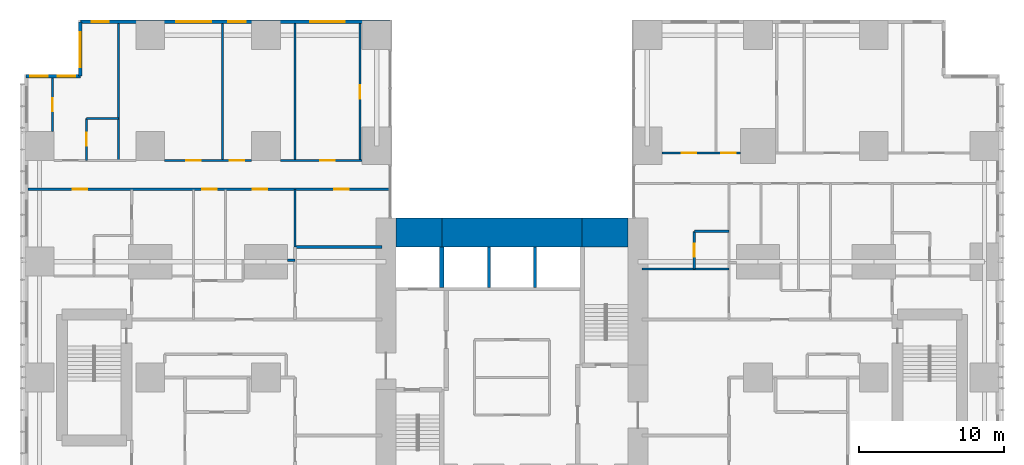
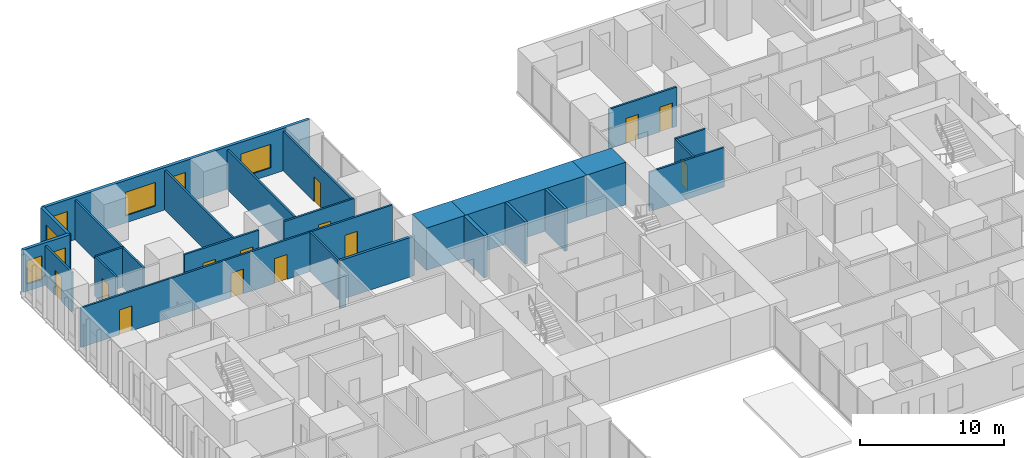
# One storey, part 19 of 22: 26 walls, 13 doors, 7 windows, 20 openings.
"""IFC4 building model written with IfcOpenShell, lengths in metres."""

from ifc_helpers import new_model, si_unit, direction, frame, frame_2d, origin, place, context, subcontext, project, spatial, rectangle, extrude, material, layer, layer_set, type_object, element, fill, save


model = new_model("IFC4")

# Units and contexts
model_context = context("Model", 3, precision=1e-05, world=origin(), true_north=direction((0.0, 1.0)))
body_context = subcontext(model_context, "Body", "Model", "MODEL_VIEW")
ifc_project = project(units=[si_unit("LENGTHUNIT", "METRE"), si_unit("AREAUNIT", "SQUARE_METRE"), si_unit("VOLUMEUNIT", "CUBIC_METRE"), si_unit("PLANEANGLEUNIT", "RADIAN"), si_unit("MASSUNIT", "GRAM", prefix="KILO")], contexts=[model_context])

# Site, building, storey
site_placement = place(None, origin())
site = spatial("IfcSite", under=ifc_project, at=site_placement, CompositionType="ELEMENT")
building_placement = place(site_placement, origin())
building = spatial("IfcBuilding", under=site, at=building_placement, Name="Cleftline Residences", CompositionType="ELEMENT")
storey_placement = place(building_placement, frame((0.0, 0.0, 29.60009765625)))
storey = spatial("IfcBuildingStorey", under=building, at=storey_placement, Name="L06", CompositionType="ELEMENT", Elevation=29.60009765625)

# Walls
ifc_material_1 = material(Name="Concrete B70", Category="concrete")
ifc_layer_1 = layer(ifc_material_1, 2.0)
ifc_layer_set_1 = layer_set([ifc_layer_1], Name="CORE WALL 2000")
wall_type_1 = type_object("IfcWallType", Name="CORE WALL 2000", PredefinedType="SHEAR", material=ifc_layer_set_1)
wall_1_placement = place(storey_placement, frame((25.0, 34.0, 0.0), z_axis=(0.0, 0.0, 1.0), x_axis=(1.0, 0.0, 0.0)))
element("IfcWall", 1, at=wall_1_placement, inside=storey, type_object=wall_type_1, Name="Core wall N1", PredefinedType="SHEAR", context=body_context, shape_type="SweptSolid", body=[
    extrude(rectangle(XDim=3.14990234375, YDim=2.0, at=frame_2d((1.574951171875, 0.0))), origin(), (0.0, 0.0, 1.0), 3.599853515625),
])
wall_2_placement = place(storey_placement, frame((28.14990234375, 34.0, 0.0), z_axis=(0.0, 0.0, 1.0), x_axis=(1.0, 0.0, 0.0)))
element("IfcWall", 2, at=wall_2_placement, inside=storey, type_object=wall_type_1, Name="Core wall N2", PredefinedType="SHEAR", context=body_context, shape_type="SweptSolid", body=[
    extrude(rectangle(XDim=9.7001953125, YDim=2.0, at=frame_2d((4.85009765625, 0.0))), origin(), (0.0, 0.0, 1.0), 3.599853515625),
])
wall_3_placement = place(storey_placement, frame((37.85009765625, 34.0, 0.0), z_axis=(0.0, 0.0, 1.0), x_axis=(1.0, 0.0, 0.0)))
element("IfcWall", 3, at=wall_3_placement, inside=storey, type_object=wall_type_1, Name="Core wall N3", PredefinedType="SHEAR", context=body_context, shape_type="SweptSolid", body=[
    extrude(rectangle(XDim=3.14990234375, YDim=2.0, at=frame_2d((1.574951171875, 0.0))), origin(), (0.0, 0.0, 1.0), 3.599853515625),
])
ifc_material_2 = material(Name="Concrete B70", Category="concrete")
ifc_layer_2 = layer(ifc_material_2, 0.300048828125)
ifc_layer_set_2 = layer_set([ifc_layer_2], Name="CORE WALL 300")
wall_type_2 = type_object("IfcWallType", Name="CORE WALL 300", PredefinedType="SHEAR", material=ifc_layer_set_2)
wall_4_placement = place(storey_placement, frame((28.14990234375, 30.199951171875, 0.0), z_axis=(0.0, 0.0, 1.0), x_axis=(0.0, 1.0, 0.0)))
element("IfcWall", 4, at=wall_4_placement, inside=storey, type_object=wall_type_2, Name="Lift shaft wall", PredefinedType="SHEAR", context=body_context, shape_type="SweptSolid", body=[
    extrude(rectangle(XDim=2.800048828125, YDim=0.300048828125, at=frame_2d((1.39990234375, 0.0))), origin(), (0.0, 0.0, 1.0), 3.599853515625),
])

# Wall, openings, windows
ifc_material_3 = material(Name="Rendered reinforced concrete blockwork", Category="masonry")
ifc_layer_3 = layer(ifc_material_3, 0.25)
ifc_layer_set_3 = layer_set([ifc_layer_3], Name="EXTERNAL WALL 250")
wall_type_3 = type_object("IfcWallType", Name="EXTERNAL WALL 250", PredefinedType="SOLIDWALL", material=ifc_layer_set_3)
wall_5_placement = place(storey_placement, frame((24.574951171875, 48.574951171875, 0.0), z_axis=(0.0, 0.0, 1.0), x_axis=(-1.0, 0.0, 0.0)))
wall_5 = element("IfcWall", 5, at=wall_5_placement, inside=storey, type_object=wall_type_3, Name="External wall", PredefinedType="SOLIDWALL", context=body_context, shape_type="SweptSolid", body=[
    extrude(rectangle(XDim=21.39990234375, YDim=0.25, at=frame_2d((10.699951171875, 0.0))), origin(), (0.0, 0.0, 1.0), 3.599853515625),
])
opening_1_placement = place(wall_5_placement, frame((3.125, 0.0, 0.60009765625)))
opening_1 = element("IfcOpeningElement", 6, at=opening_1_placement, cuts=wall_5, Name="Opening W6", PredefinedType="OPENING", context=body_context, shape_type="SweptSolid", body=[
    extrude(rectangle(XDim=2.39990234375, YDim=2.0, at=frame_2d((1.199951171875, 1.0))), frame((0.0, 0.135009765625, 0.0), z_axis=(0.0, -1.0, 0.0), x_axis=(1.0, 0.0, 0.0)), (0.0, 0.0, 1.0), 0.27001953125),
])
opening_2_placement = place(wall_5_placement, frame((9.97509765625, 0.0, 0.60009765625)))
opening_2 = element("IfcOpeningElement", 7, at=opening_2_placement, cuts=wall_5, Name="Opening W8", PredefinedType="OPENING", context=body_context, shape_type="SweptSolid", body=[
    extrude(rectangle(XDim=1.199951171875, YDim=2.0, at=frame_2d((0.60009765625, 1.0))), frame((0.0, 0.135009765625, 0.0), z_axis=(0.0, -1.0, 0.0), x_axis=(1.0, 0.0, 0.0)), (0.0, 0.0, 1.0), 0.27001953125),
])
opening_3_placement = place(wall_5_placement, frame((12.375, 0.0, 0.60009765625)))
opening_3 = element("IfcOpeningElement", 8, at=opening_3_placement, cuts=wall_5, Name="Opening W6", PredefinedType="OPENING", context=body_context, shape_type="SweptSolid", body=[
    extrude(rectangle(XDim=2.39990234375, YDim=2.0, at=frame_2d((1.199951171875, 1.0))), frame((0.0, 0.135009765625, 0.0), z_axis=(0.0, -1.0, 0.0), x_axis=(1.0, 0.0, 0.0)), (0.0, 0.0, 1.0), 0.27001953125),
])
opening_4_placement = place(wall_5_placement, frame((19.425048828125, 0.0, 0.60009765625)))
opening_4 = element("IfcOpeningElement", 9, at=opening_4_placement, cuts=wall_5, Name="Opening W8", PredefinedType="OPENING", context=body_context, shape_type="SweptSolid", body=[
    extrude(rectangle(XDim=1.199951171875, YDim=2.0, at=frame_2d((0.60009765625, 1.0))), frame((0.0, 0.135009765625, 0.0), z_axis=(0.0, -1.0, 0.0), x_axis=(1.0, 0.0, 0.0)), (0.0, 0.0, 1.0), 0.27001953125),
])
ifc_material_4 = material(Name="Aluminium frame, clear double glazing", Category="aluminium")
window_type_1 = type_object("IfcWindowType", Name="WINDOW 1200X2000", PartitioningType="DOUBLE_PANEL_VERTICAL", PredefinedType="WINDOW", material=ifc_material_4)
window_1_placement = place(opening_2_placement, origin())
window_1 = element("IfcWindow", 10, at=window_1_placement, inside=storey, type_object=window_type_1, Name="Window", OverallHeight=2.0, OverallWidth=1.199951171875, PartitioningType="SINGLE_PANEL", PredefinedType="WINDOW", context=body_context, shape_type="SweptSolid", body=[
    extrude(rectangle(XDim=1.199951171875, YDim=2.0, at=frame_2d((0.60009765625, 1.0))), frame((0.0, 0.030029296875, 0.0), z_axis=(0.0, -1.0, 0.0), x_axis=(1.0, 0.0, 0.0)), (0.0, 0.0, 1.0), 0.06005859375),
])
fill(opening_2, window_1)
window_2_placement = place(opening_4_placement, origin())
window_2 = element("IfcWindow", 11, at=window_2_placement, inside=storey, type_object=window_type_1, Name="Window", OverallHeight=2.0, OverallWidth=1.199951171875, PartitioningType="SINGLE_PANEL", PredefinedType="WINDOW", context=body_context, shape_type="SweptSolid", body=[
    extrude(rectangle(XDim=1.199951171875, YDim=2.0, at=frame_2d((0.60009765625, 1.0))), frame((0.0, 0.030029296875, 0.0), z_axis=(0.0, -1.0, 0.0), x_axis=(1.0, 0.0, 0.0)), (0.0, 0.0, 1.0), 0.06005859375),
])
fill(opening_4, window_2)
ifc_material_5 = material(Name="Aluminium frame, clear double glazing", Category="aluminium")
window_type_2 = type_object("IfcWindowType", Name="WINDOW 2400X2000", PartitioningType="DOUBLE_PANEL_VERTICAL", PredefinedType="WINDOW", material=ifc_material_5)
window_3_placement = place(opening_1_placement, origin())
window_3 = element("IfcWindow", 12, at=window_3_placement, inside=storey, type_object=window_type_2, Name="Window", OverallHeight=2.0, OverallWidth=2.39990234375, PartitioningType="SINGLE_PANEL", PredefinedType="WINDOW", context=body_context, shape_type="SweptSolid", body=[
    extrude(rectangle(XDim=2.39990234375, YDim=2.0, at=frame_2d((1.199951171875, 1.0))), frame((0.0, 0.030029296875, 0.0), z_axis=(0.0, -1.0, 0.0), x_axis=(1.0, 0.0, 0.0)), (0.0, 0.0, 1.0), 0.06005859375),
])
fill(opening_1, window_3)
window_4_placement = place(opening_3_placement, origin())
window_4 = element("IfcWindow", 13, at=window_4_placement, inside=storey, type_object=window_type_2, Name="Window", OverallHeight=2.0, OverallWidth=2.39990234375, PartitioningType="SINGLE_PANEL", PredefinedType="WINDOW", context=body_context, shape_type="SweptSolid", body=[
    extrude(rectangle(XDim=2.39990234375, YDim=2.0, at=frame_2d((1.199951171875, 1.0))), frame((0.0, 0.030029296875, 0.0), z_axis=(0.0, -1.0, 0.0), x_axis=(1.0, 0.0, 0.0)), (0.0, 0.0, 1.0), 0.06005859375),
])
fill(opening_3, window_4)

# Wall, opening, window
wall_6_placement = place(storey_placement, frame((3.175048828125, 48.574951171875, 0.0), z_axis=(0.0, 0.0, 1.0), x_axis=(0.0, -1.0, 0.0)))
wall_6 = element("IfcWall", 14, at=wall_6_placement, inside=storey, type_object=wall_type_3, Name="External wall", PredefinedType="SOLIDWALL", context=body_context, shape_type="SweptSolid", body=[
    extrude(rectangle(XDim=3.75, YDim=0.25, at=frame_2d((1.875, 0.0))), origin(), (0.0, 0.0, 1.0), 3.599853515625),
])
opening_5_placement = place(wall_6_placement, frame((0.737548828125, 0.0, 0.60009765625)))
opening_5 = element("IfcOpeningElement", 15, at=opening_5_placement, cuts=wall_6, Name="Opening W6", PredefinedType="OPENING", context=body_context, shape_type="SweptSolid", body=[
    extrude(rectangle(XDim=2.39990234375, YDim=2.0, at=frame_2d((1.199951171875, 1.0))), frame((0.0, 0.135009765625, 0.0), z_axis=(0.0, -1.0, 0.0), x_axis=(1.0, 0.0, 0.0)), (0.0, 0.0, 1.0), 0.27001953125),
])
window_5_placement = place(opening_5_placement, origin())
window_5 = element("IfcWindow", 16, at=window_5_placement, inside=storey, type_object=window_type_2, Name="Window", OverallHeight=2.0, OverallWidth=2.39990234375, PartitioningType="SINGLE_PANEL", PredefinedType="WINDOW", context=body_context, shape_type="SweptSolid", body=[
    extrude(rectangle(XDim=2.39990234375, YDim=2.0, at=frame_2d((1.199951171875, 1.0))), frame((0.0, 0.030029296875, 0.0), z_axis=(0.0, -1.0, 0.0), x_axis=(1.0, 0.0, 0.0)), (0.0, 0.0, 1.0), 0.06005859375),
])
fill(opening_5, window_5)

# Wall, openings, windows
wall_7_placement = place(storey_placement, frame((3.175048828125, 44.824951171875, 0.0), z_axis=(0.0, 0.0, 1.0), x_axis=(-1.0, 0.0, 0.0)))
wall_7 = element("IfcWall", 17, at=wall_7_placement, inside=storey, type_object=wall_type_3, Name="External wall", PredefinedType="SOLIDWALL", context=body_context, shape_type="SweptSolid", body=[
    extrude(rectangle(XDim=3.75, YDim=0.25, at=frame_2d((1.875, 0.0))), origin(), (0.0, 0.0, 1.0), 3.599853515625),
])
opening_6_placement = place(wall_7_placement, frame((0.362548828125, 0.0, 0.60009765625)))
opening_6 = element("IfcOpeningElement", 18, at=opening_6_placement, cuts=wall_7, Name="Opening W8", PredefinedType="OPENING", context=body_context, shape_type="SweptSolid", body=[
    extrude(rectangle(XDim=1.199951171875, YDim=2.0, at=frame_2d((0.60009765625, 1.0))), frame((0.0, 0.135009765625, 0.0), z_axis=(0.0, -1.0, 0.0), x_axis=(1.0, 0.0, 0.0)), (0.0, 0.0, 1.0), 0.27001953125),
])
opening_7_placement = place(wall_7_placement, frame((2.25, 0.0, 0.60009765625)))
opening_7 = element("IfcOpeningElement", 19, at=opening_7_placement, cuts=wall_7, Name="Opening W8", PredefinedType="OPENING", context=body_context, shape_type="SweptSolid", body=[
    extrude(rectangle(XDim=1.199951171875, YDim=2.0, at=frame_2d((0.60009765625, 1.0))), frame((0.0, 0.135009765625, 0.0), z_axis=(0.0, -1.0, 0.0), x_axis=(1.0, 0.0, 0.0)), (0.0, 0.0, 1.0), 0.27001953125),
])
window_6_placement = place(opening_6_placement, origin())
window_6 = element("IfcWindow", 20, at=window_6_placement, inside=storey, type_object=window_type_1, Name="Window", OverallHeight=2.0, OverallWidth=1.199951171875, PartitioningType="SINGLE_PANEL", PredefinedType="WINDOW", context=body_context, shape_type="SweptSolid", body=[
    extrude(rectangle(XDim=1.199951171875, YDim=2.0, at=frame_2d((0.60009765625, 1.0))), frame((0.0, 0.030029296875, 0.0), z_axis=(0.0, -1.0, 0.0), x_axis=(1.0, 0.0, 0.0)), (0.0, 0.0, 1.0), 0.06005859375),
])
fill(opening_6, window_6)
window_7_placement = place(opening_7_placement, origin())
window_7 = element("IfcWindow", 21, at=window_7_placement, inside=storey, type_object=window_type_1, Name="Window", OverallHeight=2.0, OverallWidth=1.199951171875, PartitioningType="SINGLE_PANEL", PredefinedType="WINDOW", context=body_context, shape_type="SweptSolid", body=[
    extrude(rectangle(XDim=1.199951171875, YDim=2.0, at=frame_2d((0.60009765625, 1.0))), frame((0.0, 0.030029296875, 0.0), z_axis=(0.0, -1.0, 0.0), x_axis=(1.0, 0.0, 0.0)), (0.0, 0.0, 1.0), 0.06005859375),
])
fill(opening_7, window_7)

# Walls
ifc_material_6 = material(Name="Concrete blockwork, fire rated", Category="masonry")
ifc_layer_4 = layer(ifc_material_6, 0.199951171875)
ifc_layer_set_4 = layer_set([ifc_layer_4], Name="FIRE WALL 200")
wall_type_4 = type_object("IfcWallType", Name="FIRE WALL 200", PredefinedType="PARTITIONING", material=ifc_layer_set_4)
wall_8_placement = place(storey_placement, frame((18.0, 33.0, 0.0), z_axis=(0.0, 0.0, 1.0), x_axis=(1.0, 0.0, 0.0)))
element("IfcWall", 22, at=wall_8_placement, inside=storey, type_object=wall_type_4, Name="Fire separating wall", PredefinedType="PARTITIONING", context=body_context, shape_type="SweptSolid", body=[
    extrude(rectangle(XDim=6.0, YDim=0.199951171875, at=frame_2d((3.0, 0.0))), origin(), (0.0, 0.0, 1.0), 3.349853515625),
])
ifc_material_7 = material(Name="Gypsum board on steel studs", Category="steel")
ifc_layer_5 = layer(ifc_material_7, 0.14990234375)
ifc_layer_set_5 = layer_set([ifc_layer_5], Name="PARTITION 150")
wall_type_5 = type_object("IfcWallType", Name="PARTITION 150", PredefinedType="PARTITIONING", material=ifc_layer_set_5)
wall_9_placement = place(storey_placement, frame((42.0, 31.5, 0.0), z_axis=(0.0, 0.0, 1.0), x_axis=(1.0, 0.0, 0.0)))
element("IfcWall", 23, at=wall_9_placement, inside=storey, type_object=wall_type_5, Name="Partition", PredefinedType="PARTITIONING", context=body_context, shape_type="SweptSolid", body=[
    extrude(rectangle(XDim=6.0, YDim=0.14990234375, at=frame_2d((3.0, 0.0))), origin(), (0.0, 0.0, 1.0), 3.349853515625),
])
wall_10_placement = place(storey_placement, frame((17.5, 32.10009765625, 0.0), z_axis=(0.0, 0.0, 1.0), x_axis=(1.0, 0.0, 0.0)))
element("IfcWall", 24, at=wall_10_placement, inside=storey, type_object=wall_type_5, Name="Partition", PredefinedType="PARTITIONING", context=body_context, shape_type="SweptSolid", body=[
    extrude(rectangle(XDim=0.5, YDim=0.14990234375, at=frame_2d((0.25, 0.0))), origin(), (0.0, 0.0, 1.0), 2.6337890625),
])
wall_11_placement = place(storey_placement, frame((45.60009765625, 34.10009765625, 0.0), z_axis=(0.0, 0.0, 1.0), x_axis=(1.0, 0.0, 0.0)))
element("IfcWall", 25, at=wall_11_placement, inside=storey, type_object=wall_type_5, Name="Partition", PredefinedType="PARTITIONING", context=body_context, shape_type="SweptSolid", body=[
    extrude(rectangle(XDim=2.39990234375, YDim=0.14990234375, at=frame_2d((1.199951171875, 0.0))), origin(), (0.0, 0.0, 1.0), 3.349853515625),
])

# Wall, openings, doors
wall_12_placement = place(storey_placement, frame((-0.449951171875, 37.0, 0.0), z_axis=(0.0, 0.0, 1.0), x_axis=(1.0, 0.0, 0.0)))
wall_12 = element("IfcWall", 26, at=wall_12_placement, inside=storey, type_object=wall_type_5, Name="Partition", PredefinedType="PARTITIONING", context=body_context, shape_type="SweptSolid", body=[
    extrude(rectangle(XDim=25.010986328125, YDim=0.14990234375, at=frame_2d((12.50537109375, 0.0))), origin(), (0.0, 0.0, 1.0), 3.349853515625),
])
opening_8_placement = place(wall_12_placement, frame((12.050048828125, 0.0, 0.0)))
opening_8 = element("IfcOpeningElement", 27, at=opening_8_placement, cuts=wall_12, Name="Opening D2F30", PredefinedType="OPENING", context=body_context, shape_type="SweptSolid", body=[
    extrude(rectangle(XDim=1.0, YDim=2.10009765625, at=frame_2d((0.5, 1.050048828125))), frame((0.0, 0.0849609375, 0.0), z_axis=(0.0, -1.0, 0.0), x_axis=(1.0, 0.0, 0.0)), (0.0, 0.0, 1.0), 0.169921875),
])
opening_9_placement = place(wall_12_placement, frame((3.08740234375, 0.0, 0.0)))
opening_9 = element("IfcOpeningElement", 28, at=opening_9_placement, cuts=wall_12, Name="Opening D2F30", PredefinedType="OPENING", context=body_context, shape_type="SweptSolid", body=[
    extrude(rectangle(XDim=1.0, YDim=2.10009765625, at=frame_2d((0.5, 1.050048828125))), frame((0.0, 0.0849609375, 0.0), z_axis=(0.0, -1.0, 0.0), x_axis=(1.0, 0.0, 0.0)), (0.0, 0.0, 1.0), 0.169921875),
])
opening_10_placement = place(wall_12_placement, frame((15.550048828125, 0.0, 0.0)))
opening_10 = element("IfcOpeningElement", 29, at=opening_10_placement, cuts=wall_12, Name="Opening D2F30", PredefinedType="OPENING", context=body_context, shape_type="SweptSolid", body=[
    extrude(rectangle(XDim=1.0, YDim=2.10009765625, at=frame_2d((0.5, 1.050048828125))), frame((0.0, 0.0849609375, 0.0), z_axis=(0.0, -1.0, 0.0), x_axis=(1.0, 0.0, 0.0)), (0.0, 0.0, 1.0), 0.169921875),
])
opening_11_placement = place(wall_12_placement, frame((21.175048828125, 0.0, 0.0)))
opening_11 = element("IfcOpeningElement", 30, at=opening_11_placement, cuts=wall_12, Name="Opening D2F30", PredefinedType="OPENING", context=body_context, shape_type="SweptSolid", body=[
    extrude(rectangle(XDim=1.0, YDim=2.10009765625, at=frame_2d((0.5, 1.050048828125))), frame((0.0, 0.0849609375, 0.0), z_axis=(0.0, -1.0, 0.0), x_axis=(1.0, 0.0, 0.0)), (0.0, 0.0, 1.0), 0.169921875),
])
ifc_material_8 = material(Name="Timber veneer on solid core", Category="wood")
door_type_1 = type_object("IfcDoorType", Name="DOOR 1000X2100 EI 30", OperationType="SINGLE_SWING_LEFT", PredefinedType="DOOR", material=ifc_material_8)
door_1_placement = place(opening_8_placement, origin())
door_1 = element("IfcDoor", 31, at=door_1_placement, inside=storey, type_object=door_type_1, Name="Door to residence hall (gallery)", OperationType="SINGLE_SWING_LEFT", OverallHeight=2.10009765625, OverallWidth=1.0, PredefinedType="DOOR", context=body_context, shape_type="SweptSolid", body=[
    extrude(rectangle(XDim=1.0, YDim=2.10009765625, at=frame_2d((0.5, 1.050048828125))), frame((0.0, 0.02490234375, 0.0), z_axis=(0.0, -1.0, 0.0), x_axis=(1.0, 0.0, 0.0)), (0.0, 0.0, 1.0), 0.050048828125),
])
fill(opening_8, door_1)
door_2_placement = place(opening_9_placement, origin())
door_2 = element("IfcDoor", 32, at=door_2_placement, inside=storey, type_object=door_type_1, Name="Door to master bedroom", OperationType="SINGLE_SWING_RIGHT", OverallHeight=2.10009765625, OverallWidth=1.0, PredefinedType="DOOR", context=body_context, shape_type="SweptSolid", body=[
    extrude(rectangle(XDim=1.0, YDim=2.10009765625, at=frame_2d((0.5, 1.050048828125))), frame((0.0, 0.02490234375, 0.0), z_axis=(0.0, -1.0, 0.0), x_axis=(1.0, 0.0, 0.0)), (0.0, 0.0, 1.0), 0.050048828125),
])
fill(opening_9, door_2)
door_3_placement = place(opening_10_placement, origin())
door_3 = element("IfcDoor", 33, at=door_3_placement, inside=storey, type_object=door_type_1, Name="Door to study", OperationType="SINGLE_SWING_LEFT", OverallHeight=2.10009765625, OverallWidth=1.0, PredefinedType="DOOR", context=body_context, shape_type="SweptSolid", body=[
    extrude(rectangle(XDim=1.0, YDim=2.10009765625, at=frame_2d((0.5, 1.050048828125))), frame((0.0, 0.02490234375, 0.0), z_axis=(0.0, -1.0, 0.0), x_axis=(1.0, 0.0, 0.0)), (0.0, 0.0, 1.0), 0.050048828125),
])
fill(opening_10, door_3)
door_4_placement = place(opening_11_placement, origin())
door_4 = element("IfcDoor", 34, at=door_4_placement, inside=storey, type_object=door_type_1, Name="Door to wet kitchen", OperationType="SINGLE_SWING_LEFT", OverallHeight=2.10009765625, OverallWidth=1.0, PredefinedType="DOOR", context=body_context, shape_type="SweptSolid", body=[
    extrude(rectangle(XDim=1.0, YDim=2.10009765625, at=frame_2d((0.5, 1.050048828125))), frame((0.0, 0.02490234375, 0.0), z_axis=(0.0, -1.0, 0.0), x_axis=(1.0, 0.0, 0.0)), (0.0, 0.0, 1.0), 0.050048828125),
])
fill(opening_11, door_4)

wall_13_placement = place(storey_placement, frame((9.0, 39.0, 0.0), z_axis=(0.0, 0.0, 1.0), x_axis=(1.0, 0.0, 0.0)))
wall_13 = element("IfcWall", 35, at=wall_13_placement, inside=storey, type_object=wall_type_5, Name="Partition", PredefinedType="PARTITIONING", context=body_context, shape_type="SweptSolid", body=[
    extrude(rectangle(XDim=6.0, YDim=0.14990234375, at=frame_2d((3.0, 0.0))), origin(), (0.0, 0.0, 1.0), 3.349853515625),
])
opening_12_placement = place(wall_13_placement, frame((1.5, 0.0, 0.0)))
opening_12 = element("IfcOpeningElement", 36, at=opening_12_placement, cuts=wall_13, Name="Opening D2", PredefinedType="OPENING", context=body_context, shape_type="SweptSolid", body=[
    extrude(rectangle(XDim=1.0, YDim=2.10009765625, at=frame_2d((0.5, 1.050048828125))), frame((0.0, 0.0849609375, 0.0), z_axis=(0.0, -1.0, 0.0), x_axis=(1.0, 0.0, 0.0)), (0.0, 0.0, 1.0), 0.169921875),
])
opening_13_placement = place(wall_13_placement, frame((4.5, 0.0, 0.0)))
opening_13 = element("IfcOpeningElement", 37, at=opening_13_placement, cuts=wall_13, Name="Opening D2", PredefinedType="OPENING", context=body_context, shape_type="SweptSolid", body=[
    extrude(rectangle(XDim=1.0, YDim=2.10009765625, at=frame_2d((0.5, 1.050048828125))), frame((0.0, 0.0849609375, 0.0), z_axis=(0.0, -1.0, 0.0), x_axis=(1.0, 0.0, 0.0)), (0.0, 0.0, 1.0), 0.169921875),
])
ifc_material_9 = material(Name="Timber veneer on solid core", Category="wood")
door_type_2 = type_object("IfcDoorType", Name="DOOR 1000X2100", OperationType="SINGLE_SWING_LEFT", PredefinedType="DOOR", material=ifc_material_9)
door_5_placement = place(opening_12_placement, origin())
door_5 = element("IfcDoor", 38, at=door_5_placement, inside=storey, type_object=door_type_2, Name="Door to living room", OperationType="SINGLE_SWING_RIGHT", OverallHeight=2.10009765625, OverallWidth=1.0, PredefinedType="DOOR", context=body_context, shape_type="SweptSolid", body=[
    extrude(rectangle(XDim=1.0, YDim=2.10009765625, at=frame_2d((0.5, 1.050048828125))), frame((0.0, 0.02490234375, 0.0), z_axis=(0.0, -1.0, 0.0), x_axis=(1.0, 0.0, 0.0)), (0.0, 0.0, 1.0), 0.050048828125),
])
fill(opening_12, door_5)
door_6_placement = place(opening_13_placement, origin())
door_6 = element("IfcDoor", 39, at=door_6_placement, inside=storey, type_object=door_type_2, Name="Door to dining room", OperationType="SINGLE_SWING_LEFT", OverallHeight=2.10009765625, OverallWidth=1.0, PredefinedType="DOOR", context=body_context, shape_type="SweptSolid", body=[
    extrude(rectangle(XDim=1.0, YDim=2.10009765625, at=frame_2d((0.5, 1.050048828125))), frame((0.0, 0.02490234375, 0.0), z_axis=(0.0, -1.0, 0.0), x_axis=(1.0, 0.0, 0.0)), (0.0, 0.0, 1.0), 0.050048828125),
])
fill(opening_13, door_6)

# Wall, opening, door
wall_14_placement = place(storey_placement, frame((17.0, 39.0, 0.0), z_axis=(0.0, 0.0, 1.0), x_axis=(1.0, 0.0, 0.0)))
wall_14 = element("IfcWall", 40, at=wall_14_placement, inside=storey, type_object=wall_type_5, Name="Partition", PredefinedType="PARTITIONING", context=body_context, shape_type="SweptSolid", body=[
    extrude(rectangle(XDim=5.64990234375, YDim=0.14990234375, at=frame_2d((2.824951171875, 0.0))), origin(), (0.0, 0.0, 1.0), 3.349853515625),
])
opening_14_placement = place(wall_14_placement, frame((2.75, 0.0, 0.0)))
opening_14 = element("IfcOpeningElement", 41, at=opening_14_placement, cuts=wall_14, Name="Opening D2", PredefinedType="OPENING", context=body_context, shape_type="SweptSolid", body=[
    extrude(rectangle(XDim=1.0, YDim=2.10009765625, at=frame_2d((0.5, 1.050048828125))), frame((0.0, 0.0849609375, 0.0), z_axis=(0.0, -1.0, 0.0), x_axis=(1.0, 0.0, 0.0)), (0.0, 0.0, 1.0), 0.169921875),
])
door_7_placement = place(opening_14_placement, origin())
door_7 = element("IfcDoor", 42, at=door_7_placement, inside=storey, type_object=door_type_2, Name="Door to show kitchen", OperationType="SINGLE_SWING_LEFT", OverallHeight=2.10009765625, OverallWidth=1.0, PredefinedType="DOOR", context=body_context, shape_type="SweptSolid", body=[
    extrude(rectangle(XDim=1.0, YDim=2.10009765625, at=frame_2d((0.5, 1.050048828125))), frame((0.0, 0.02490234375, 0.0), z_axis=(0.0, -1.0, 0.0), x_axis=(1.0, 0.0, 0.0)), (0.0, 0.0, 1.0), 0.050048828125),
])
fill(opening_14, door_7)

# Wall, openings, doors
wall_15_placement = place(storey_placement, frame((43.35009765625, 39.5, 0.0), z_axis=(0.0, 0.0, 1.0), x_axis=(1.0, 0.0, 0.0)))
wall_15 = element("IfcWall", 43, at=wall_15_placement, inside=storey, type_object=wall_type_5, Name="Partition", PredefinedType="PARTITIONING", context=body_context, shape_type="SweptSolid", body=[
    extrude(rectangle(XDim=5.449951171875, YDim=0.14990234375, at=frame_2d((2.72509765625, 0.0))), origin(), (0.0, 0.0, 1.0), 3.349853515625),
])
opening_15_placement = place(wall_15_placement, frame((4.10009765625, 0.0, 0.0)))
opening_15 = element("IfcOpeningElement", 44, at=opening_15_placement, cuts=wall_15, Name="Opening D2", PredefinedType="OPENING", context=body_context, shape_type="SweptSolid", body=[
    extrude(rectangle(XDim=1.0, YDim=2.10009765625, at=frame_2d((0.5, 1.050048828125))), frame((0.0, 0.0849609375, 0.0), z_axis=(0.0, -1.0, 0.0), x_axis=(1.0, 0.0, 0.0)), (0.0, 0.0, 1.0), 0.169921875),
])
opening_16_placement = place(wall_15_placement, frame((1.375, 0.0, 0.0)))
opening_16 = element("IfcOpeningElement", 45, at=opening_16_placement, cuts=wall_15, Name="Opening D2", PredefinedType="OPENING", context=body_context, shape_type="SweptSolid", body=[
    extrude(rectangle(XDim=1.0, YDim=2.10009765625, at=frame_2d((0.5, 1.050048828125))), frame((0.0, 0.0849609375, 0.0), z_axis=(0.0, -1.0, 0.0), x_axis=(1.0, 0.0, 0.0)), (0.0, 0.0, 1.0), 0.169921875),
])
door_8_placement = place(opening_15_placement, origin())
door_8 = element("IfcDoor", 46, at=door_8_placement, inside=storey, type_object=door_type_2, Name="Door to bedroom 2", OperationType="SINGLE_SWING_LEFT", OverallHeight=2.10009765625, OverallWidth=1.0, PredefinedType="DOOR", context=body_context, shape_type="SweptSolid", body=[
    extrude(rectangle(XDim=1.0, YDim=2.10009765625, at=frame_2d((0.5, 1.050048828125))), frame((0.0, 0.02490234375, 0.0), z_axis=(0.0, -1.0, 0.0), x_axis=(1.0, 0.0, 0.0)), (0.0, 0.0, 1.0), 0.050048828125),
])
fill(opening_15, door_8)
door_9_placement = place(opening_16_placement, origin())
door_9 = element("IfcDoor", 47, at=door_9_placement, inside=storey, type_object=door_type_2, Name="Door to bedroom 2 sitting room", OperationType="SINGLE_SWING_RIGHT", OverallHeight=2.10009765625, OverallWidth=1.0, PredefinedType="DOOR", context=body_context, shape_type="SweptSolid", body=[
    extrude(rectangle(XDim=1.0, YDim=2.10009765625, at=frame_2d((0.5, 1.050048828125))), frame((0.0, 0.02490234375, 0.0), z_axis=(0.0, -1.0, 0.0), x_axis=(1.0, 0.0, 0.0)), (0.0, 0.0, 1.0), 0.050048828125),
])
fill(opening_16, door_9)

# Wall
wall_16_placement = place(storey_placement, frame((3.60009765625, 41.89990234375, 0.0), z_axis=(0.0, 0.0, 1.0), x_axis=(1.0, 0.0, 0.0)))
element("IfcWall", 48, at=wall_16_placement, inside=storey, type_object=wall_type_5, Name="Partition", PredefinedType="PARTITIONING", context=body_context, shape_type="SweptSolid", body=[
    extrude(rectangle(XDim=2.199951171875, YDim=0.14990234375, at=frame_2d((1.10009765625, 0.0))), origin(), (0.0, 0.0, 1.0), 3.349853515625),
])

# Wall, opening, door
wall_17_placement = place(storey_placement, frame((1.25, 41.0, 0.0), z_axis=(0.0, 0.0, 1.0), x_axis=(0.0, 1.0, 0.0)))
wall_17 = element("IfcWall", 49, at=wall_17_placement, inside=storey, type_object=wall_type_5, Name="Partition", PredefinedType="PARTITIONING", context=body_context, shape_type="SweptSolid", body=[
    extrude(rectangle(XDim=3.699951171875, YDim=0.14990234375, at=frame_2d((1.85009765625, 0.0))), origin(), (0.0, 0.0, 1.0), 3.349853515625),
])
opening_17_placement = place(wall_17_placement, frame((1.39990234375, 0.0, 0.0)))
opening_17 = element("IfcOpeningElement", 50, at=opening_17_placement, cuts=wall_17, Name="Opening D1", PredefinedType="OPENING", context=body_context, shape_type="SweptSolid", body=[
    extrude(rectangle(XDim=0.89990234375, YDim=2.10009765625, at=frame_2d((0.449951171875, 1.050048828125))), frame((0.0, 0.0849609375, 0.0), z_axis=(0.0, -1.0, 0.0), x_axis=(1.0, 0.0, 0.0)), (0.0, 0.0, 1.0), 0.169921875),
])
ifc_material_10 = material(Name="Timber veneer on solid core", Category="wood")
door_type_3 = type_object("IfcDoorType", Name="DOOR 900X2100", OperationType="SINGLE_SWING_LEFT", PredefinedType="DOOR", material=ifc_material_10)
door_10_placement = place(opening_17_placement, origin())
door_10 = element("IfcDoor", 51, at=door_10_placement, inside=storey, type_object=door_type_3, Name="Door to walk-in wardrobe", OperationType="SINGLE_SWING_LEFT", OverallHeight=2.10009765625, OverallWidth=0.89990234375, PredefinedType="DOOR", context=body_context, shape_type="SweptSolid", body=[
    extrude(rectangle(XDim=0.89990234375, YDim=2.10009765625, at=frame_2d((0.449951171875, 1.050048828125))), frame((0.0, 0.02490234375, 0.0), z_axis=(0.0, -1.0, 0.0), x_axis=(1.0, 0.0, 0.0)), (0.0, 0.0, 1.0), 0.050048828125),
])
fill(opening_17, door_10)

wall_18_placement = place(storey_placement, frame((3.60009765625, 39.0, 0.0), z_axis=(0.0, 0.0, 1.0), x_axis=(0.0, 1.0, 0.0)))
wall_18 = element("IfcWall", 52, at=wall_18_placement, inside=storey, type_object=wall_type_5, Name="Partition", PredefinedType="PARTITIONING", context=body_context, shape_type="SweptSolid", body=[
    extrude(rectangle(XDim=2.89990234375, YDim=0.14990234375, at=frame_2d((1.449951171875, 0.0))), origin(), (0.0, 0.0, 1.0), 3.349853515625),
])
opening_18_placement = place(wall_18_placement, frame((1.0, 0.0, 0.0)))
opening_18 = element("IfcOpeningElement", 53, at=opening_18_placement, cuts=wall_18, Name="Opening D1", PredefinedType="OPENING", context=body_context, shape_type="SweptSolid", body=[
    extrude(rectangle(XDim=0.89990234375, YDim=2.10009765625, at=frame_2d((0.449951171875, 1.050048828125))), frame((0.0, 0.0849609375, 0.0), z_axis=(0.0, -1.0, 0.0), x_axis=(1.0, 0.0, 0.0)), (0.0, 0.0, 1.0), 0.169921875),
])
door_11_placement = place(opening_18_placement, origin())
door_11 = element("IfcDoor", 54, at=door_11_placement, inside=storey, type_object=door_type_3, Name="Door to en-suite bathroom 2", OperationType="SINGLE_SWING_LEFT", OverallHeight=2.10009765625, OverallWidth=0.89990234375, PredefinedType="DOOR", context=body_context, shape_type="SweptSolid", body=[
    extrude(rectangle(XDim=0.89990234375, YDim=2.10009765625, at=frame_2d((0.449951171875, 1.050048828125))), frame((0.0, 0.02490234375, 0.0), z_axis=(0.0, -1.0, 0.0), x_axis=(1.0, 0.0, 0.0)), (0.0, 0.0, 1.0), 0.050048828125),
])
fill(opening_18, door_11)

# Walls
for number, where, z_axis, x_axis, name in (
    (55, (5.800048828125, 39.0, 0.0), (0.0, 0.0, 1.0), (0.0, 1.0, 0.0), "Partition"),
    (56, (13.0, 39.0, 0.0), (0.0, 0.0, 1.0), (0.0, 1.0, 0.0), "Partition"),
):
    element("IfcWall", number, at=place(storey_placement, frame(where, z_axis=z_axis, x_axis=x_axis)), inside=storey, type_object=wall_type_5, Name=name, PredefinedType="PARTITIONING", context=body_context, shape_type="SweptSolid", body=[
        extrude(rectangle(XDim=9.449951171875, YDim=0.14990234375, at=frame_2d((4.72509765625, 0.0))), origin(), (0.0, 0.0, 1.0), 3.349853515625),
    ])
wall_19_placement = place(storey_placement, frame((18.0, 33.0, 0.0), z_axis=(0.0, 0.0, 1.0), x_axis=(0.0, 1.0, 0.0)))
element("IfcWall", 57, at=wall_19_placement, inside=storey, type_object=wall_type_5, Name="Partition", PredefinedType="PARTITIONING", context=body_context, shape_type="SweptSolid", body=[
    extrude(rectangle(XDim=4.0, YDim=0.14990234375, at=frame_2d((2.0, 0.0))), origin(), (0.0, 0.0, 1.0), 3.349853515625),
])
wall_20_placement = place(storey_placement, frame((18.0, 39.0, 0.0), z_axis=(0.0, 0.0, 1.0), x_axis=(0.0, 1.0, 0.0)))
element("IfcWall", 58, at=wall_20_placement, inside=storey, type_object=wall_type_5, Name="Partition", PredefinedType="PARTITIONING", context=body_context, shape_type="SweptSolid", body=[
    extrude(rectangle(XDim=9.449951171875, YDim=0.14990234375, at=frame_2d((4.72509765625, 0.0))), origin(), (0.0, 0.0, 1.0), 3.349853515625),
])

# Wall, opening, door
wall_21_placement = place(storey_placement, frame((22.5, 39.0, 0.0), z_axis=(0.0, 0.0, 1.0), x_axis=(0.0, 1.0, 0.0)))
wall_21 = element("IfcWall", 59, at=wall_21_placement, inside=storey, type_object=wall_type_5, Name="Partition", PredefinedType="PARTITIONING", context=body_context, shape_type="SweptSolid", body=[
    extrude(rectangle(XDim=9.449951171875, YDim=0.14990234375, at=frame_2d((4.72509765625, 0.0))), origin(), (0.0, 0.0, 1.0), 3.349853515625),
])
opening_19_placement = place(wall_21_placement, frame((4.27490234375, 0.0, 0.0)))
opening_19 = element("IfcOpeningElement", 60, at=opening_19_placement, cuts=wall_21, Name="Opening D1", PredefinedType="OPENING", context=body_context, shape_type="SweptSolid", body=[
    extrude(rectangle(XDim=0.89990234375, YDim=2.10009765625, at=frame_2d((0.449951171875, 1.050048828125))), frame((0.0, 0.0849609375, 0.0), z_axis=(0.0, -1.0, 0.0), x_axis=(1.0, 0.0, 0.0)), (0.0, 0.0, 1.0), 0.169921875),
])
door_12_placement = place(opening_19_placement, origin())
door_12 = element("IfcDoor", 61, at=door_12_placement, inside=storey, type_object=door_type_3, Name="Door to kitchen store", OperationType="SINGLE_SWING_LEFT", OverallHeight=2.10009765625, OverallWidth=0.89990234375, PredefinedType="DOOR", context=body_context, shape_type="SweptSolid", body=[
    extrude(rectangle(XDim=0.89990234375, YDim=2.10009765625, at=frame_2d((0.449951171875, 1.050048828125))), frame((0.0, 0.02490234375, 0.0), z_axis=(0.0, -1.0, 0.0), x_axis=(1.0, 0.0, 0.0)), (0.0, 0.0, 1.0), 0.050048828125),
])
fill(opening_19, door_12)

wall_22_placement = place(storey_placement, frame((45.60009765625, 31.5, 0.0), z_axis=(0.0, 0.0, 1.0), x_axis=(0.0, 1.0, 0.0)))
wall_22 = element("IfcWall", 62, at=wall_22_placement, inside=storey, type_object=wall_type_5, Name="Partition", PredefinedType="PARTITIONING", context=body_context, shape_type="SweptSolid", body=[
    extrude(rectangle(XDim=2.60009765625, YDim=0.14990234375, at=frame_2d((1.300048828125, 0.0))), origin(), (0.0, 0.0, 1.0), 3.349853515625),
])
opening_20_placement = place(wall_22_placement, frame((0.85009765625, 0.0, 0.0)))
opening_20 = element("IfcOpeningElement", 63, at=opening_20_placement, cuts=wall_22, Name="Opening D1", PredefinedType="OPENING", context=body_context, shape_type="SweptSolid", body=[
    extrude(rectangle(XDim=0.89990234375, YDim=2.10009765625, at=frame_2d((0.449951171875, 1.050048828125))), frame((0.0, 0.0849609375, 0.0), z_axis=(0.0, -1.0, 0.0), x_axis=(1.0, 0.0, 0.0)), (0.0, 0.0, 1.0), 0.169921875),
])
door_13_placement = place(opening_20_placement, origin())
door_13 = element("IfcDoor", 64, at=door_13_placement, inside=storey, type_object=door_type_3, Name="Door to en-suite bathroom 3", OperationType="SINGLE_SWING_LEFT", OverallHeight=2.10009765625, OverallWidth=0.89990234375, PredefinedType="DOOR", context=body_context, shape_type="SweptSolid", body=[
    extrude(rectangle(XDim=0.89990234375, YDim=2.10009765625, at=frame_2d((0.449951171875, 1.050048828125))), frame((0.0, 0.02490234375, 0.0), z_axis=(0.0, -1.0, 0.0), x_axis=(1.0, 0.0, 0.0)), (0.0, 0.0, 1.0), 0.050048828125),
])
fill(opening_20, door_13)

# Walls
ifc_material_11 = material(Name="Concrete blockwork, fire rated", Category="masonry")
ifc_layer_6 = layer(ifc_material_11, 0.199951171875)
ifc_layer_set_6 = layer_set([ifc_layer_6], Name="SHAFT WALL 200")
wall_type_6 = type_object("IfcWallType", Name="SHAFT WALL 200", PredefinedType="PARTITIONING", material=ifc_layer_set_6)
for number, where, z_axis, x_axis, name in (
    (65, (31.39990234375, 30.199951171875, 0.0), (0.0, 0.0, 1.0), (0.0, 1.0, 0.0), "Lift shaft wall"),
    (66, (34.60009765625, 30.199951171875, 0.0), (0.0, 0.0, 1.0), (0.0, 1.0, 0.0), "Lift shaft wall"),
):
    element("IfcWall", number, at=place(storey_placement, frame(where, z_axis=z_axis, x_axis=x_axis)), inside=storey, type_object=wall_type_6, Name=name, PredefinedType="PARTITIONING", context=body_context, shape_type="SweptSolid", body=[
        extrude(rectangle(XDim=2.800048828125, YDim=0.199951171875, at=frame_2d((1.39990234375, 0.0))), origin(), (0.0, 0.0, 1.0), 3.599853515625),
    ])

save(model, "model.ifc")
